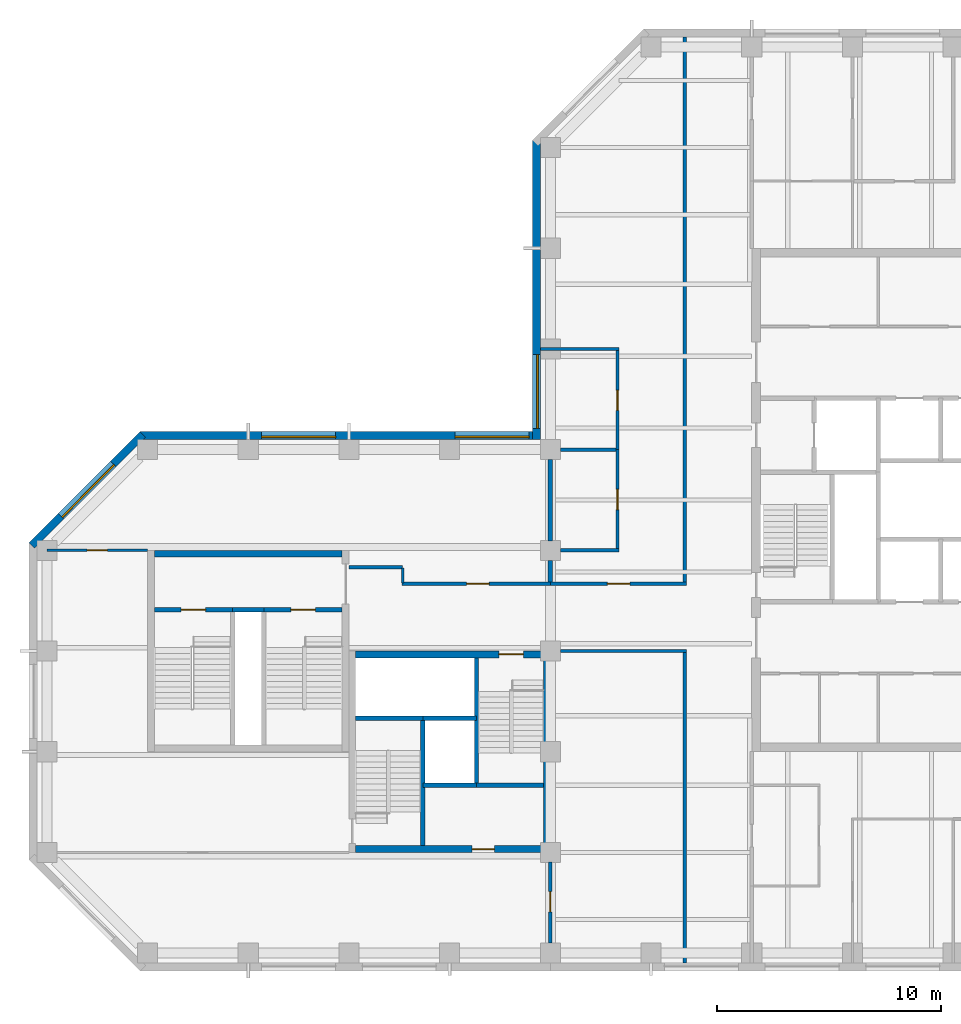
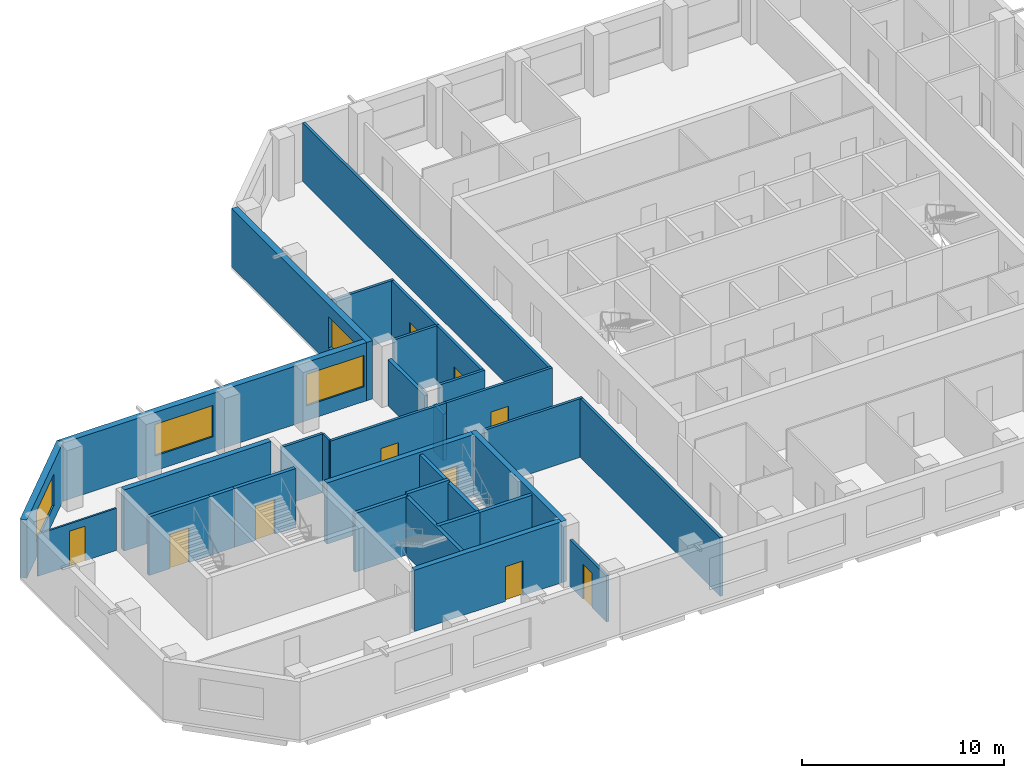
# One storey, part 3 of 9: 32 walls, 10 doors, 4 windows, 14 openings.
"""IFC4 building model written with IfcOpenShell, lengths in metres."""

from ifc_helpers import new_model, si_unit, direction, frame, frame_2d, origin, place, context, subcontext, project, spatial, rectangle, extrude, material, layer, layer_set, constituent, constituent_set, type_object, element, fill, save


model = new_model("IFC4")

# Units and contexts
model_context = context("Model", 3, precision=1e-05, world=origin(), true_north=direction((0.0, 1.0)))
body_context = subcontext(model_context, "Body", "Model", "MODEL_VIEW")
ifc_project = project(units=[si_unit("LENGTHUNIT", "METRE"), si_unit("AREAUNIT", "SQUARE_METRE"), si_unit("VOLUMEUNIT", "CUBIC_METRE"), si_unit("PLANEANGLEUNIT", "RADIAN"), si_unit("MASSUNIT", "GRAM", prefix="KILO")], contexts=[model_context])

# Site, building, storey
site_placement = place(None, origin())
site = spatial("IfcSite", under=ifc_project, at=site_placement, CompositionType="ELEMENT")
building_placement = place(site_placement, origin())
building = spatial("IfcBuilding", under=site, at=building_placement, Name="Quoin Convention Tower", CompositionType="ELEMENT")
storey_placement = place(building_placement, frame((0.0, 0.0, 199.5)))
storey = spatial("IfcBuildingStorey", under=building, at=storey_placement, Name="L52", CompositionType="ELEMENT", Elevation=199.5)

# Walls
ifc_material_1 = material(Name="Plasterboard")
ifc_layer_1 = layer(ifc_material_1, 0.012451171875, Name="Finish")
ifc_material_2 = material(Name="Steel stud framing", Category="steel")
ifc_layer_2 = layer(ifc_material_2, 0.125, Name="Structure")
ifc_layer_3 = layer(ifc_material_1, 0.012451171875, Name="Finish")
ifc_layer_set_1 = layer_set([ifc_layer_1, ifc_layer_2, ifc_layer_3], Name="Steel stud framing")
wall_type_1 = type_object("IfcWallType", Name="Acoustic partition 150", PredefinedType="PARTITIONING", material=ifc_layer_set_1)
wall_1_placement = place(storey_placement, frame((36.449951171875, 58.5, 0.0), z_axis=(0.0, 0.0, 1.0), x_axis=(1.0, 0.0, 0.0)))
element("IfcWall", 1, at=wall_1_placement, inside=storey, type_object=wall_type_1, Name="pw-L52-021", PredefinedType="PARTITIONING", context=body_context, shape_type="SweptSolid", body=[
    extrude(rectangle(XDim=2.625, YDim=0.14990234375, at=frame_2d((1.3125, 0.0))), origin(), (0.0, 0.0, 1.0), 3.550048828125),
])
wall_2_placement = place(storey_placement, frame((36.449951171875, 63.0, 0.0), z_axis=(0.0, 0.0, 1.0), x_axis=(1.0, 0.0, 0.0)))
element("IfcWall", 2, at=wall_2_placement, inside=storey, type_object=wall_type_1, Name="pw-L52-025", PredefinedType="PARTITIONING", context=body_context, shape_type="SweptSolid", body=[
    extrude(rectangle(XDim=2.47509765625, YDim=0.14990234375, at=frame_2d((1.237548828125, 0.0))), origin(), (0.0, 0.0, 1.0), 3.550048828125),
])
wall_3_placement = place(storey_placement, frame((35.550048828125, 67.5, 0.0), z_axis=(0.0, 0.0, 1.0), x_axis=(1.0, 0.0, 0.0)))
element("IfcWall", 3, at=wall_3_placement, inside=storey, type_object=wall_type_1, Name="pw-L52-027", PredefinedType="PARTITIONING", context=body_context, shape_type="SweptSolid", body=[
    extrude(rectangle(XDim=3.52490234375, YDim=0.14990234375, at=frame_2d((1.762451171875, 0.0))), origin(), (0.0, 0.0, 1.0), 3.550048828125),
])

# Wall, opening, door
wall_4_placement = place(storey_placement, frame((39.0, 58.574951171875, 0.0), z_axis=(0.0, 0.0, 1.0), x_axis=(0.0, 1.0, 0.0)))
wall_4 = element("IfcWall", 4, at=wall_4_placement, inside=storey, type_object=wall_type_1, Name="pw-L52-066", PredefinedType="PARTITIONING", context=body_context, shape_type="SweptSolid", body=[
    extrude(rectangle(XDim=4.425048828125, YDim=0.14990234375, at=frame_2d((2.21240234375, 0.0))), origin(), (0.0, 0.0, 1.0), 3.550048828125),
])
opening_1_placement = place(wall_4_placement, frame((1.75, 0.0, 0.0)))
opening_1 = element("IfcOpeningElement", 5, at=opening_1_placement, cuts=wall_4, Name="Opening DOH8-20", PredefinedType="OPENING", context=body_context, shape_type="SweptSolid", body=[
    extrude(rectangle(XDim=0.89990234375, YDim=2.10009765625, at=frame_2d((0.449951171875, 1.050048828125))), frame((0.0, 0.0849609375, 0.0), z_axis=(0.0, -1.0, 0.0), x_axis=(1.0, 0.0, 0.0)), (0.0, 0.0, 1.0), 0.169921875),
])
ifc_material_3 = material(Name="Steel door leaf", Category="steel")
door_type_1 = type_object("IfcDoorType", Name="Office door 900 x 2100", OperationType="SINGLE_SWING_RIGHT", PredefinedType="DOOR", material=ifc_material_3)
door_1_placement = place(opening_1_placement, frame((0.89990234375, 0.0, 0.0), z_axis=(0.0, 0.0, 1.0), x_axis=(-1.0, 0.0, 0.0)))
door_1 = element("IfcDoor", 6, at=door_1_placement, inside=storey, type_object=door_type_1, Name="dr-L52-12", OperationType="SINGLE_SWING_LEFT", OverallHeight=2.10009765625, OverallWidth=0.89990234375, PredefinedType="DOOR", context=body_context, shape_type="SweptSolid", body=[
    extrude(rectangle(XDim=0.89990234375, YDim=2.10009765625, at=frame_2d((0.449951171875, 1.050048828125))), frame((0.0, 0.02490234375, 0.0), z_axis=(0.0, -1.0, 0.0), x_axis=(1.0, 0.0, 0.0)), (0.0, 0.0, 1.0), 0.050048828125),
])
fill(opening_1, door_1)

wall_5_placement = place(storey_placement, frame((39.0, 63.0, 0.0), z_axis=(0.0, 0.0, 1.0), x_axis=(0.0, 1.0, 0.0)))
wall_5 = element("IfcWall", 7, at=wall_5_placement, inside=storey, type_object=wall_type_1, Name="pw-L52-072", PredefinedType="PARTITIONING", context=body_context, shape_type="SweptSolid", body=[
    extrude(rectangle(XDim=4.425048828125, YDim=0.14990234375, at=frame_2d((2.21240234375, 0.0))), origin(), (0.0, 0.0, 1.0), 3.550048828125),
])
opening_2_placement = place(wall_5_placement, frame((1.75, 0.0, 0.0)))
opening_2 = element("IfcOpeningElement", 8, at=opening_2_placement, cuts=wall_5, Name="Opening DOH8-21", PredefinedType="OPENING", context=body_context, shape_type="SweptSolid", body=[
    extrude(rectangle(XDim=0.89990234375, YDim=2.10009765625, at=frame_2d((0.449951171875, 1.050048828125))), frame((0.0, 0.0849609375, 0.0), z_axis=(0.0, -1.0, 0.0), x_axis=(1.0, 0.0, 0.0)), (0.0, 0.0, 1.0), 0.169921875),
])
door_2_placement = place(opening_2_placement, frame((0.89990234375, 0.0, 0.0), z_axis=(0.0, 0.0, 1.0), x_axis=(-1.0, 0.0, 0.0)))
door_2 = element("IfcDoor", 9, at=door_2_placement, inside=storey, type_object=door_type_1, Name="dr-L52-13", OperationType="SINGLE_SWING_LEFT", OverallHeight=2.10009765625, OverallWidth=0.89990234375, PredefinedType="DOOR", context=body_context, shape_type="SweptSolid", body=[
    extrude(rectangle(XDim=0.89990234375, YDim=2.10009765625, at=frame_2d((0.449951171875, 1.050048828125))), frame((0.0, 0.02490234375, 0.0), z_axis=(0.0, -1.0, 0.0), x_axis=(1.0, 0.0, 0.0)), (0.0, 0.0, 1.0), 0.050048828125),
])
fill(opening_2, door_2)

# Wall, opening, window
ifc_material_4 = material(Name="Brick masonry", Category="masonry")
ifc_layer_4 = layer(ifc_material_4, 0.35009765625)
ifc_layer_set_2 = layer_set([ifc_layer_4], Name="Brick masonry")
wall_type_2 = type_object("IfcWallType", Name="Brick facade wall", PredefinedType="STANDARD", material=ifc_layer_set_2)
wall_6_placement = place(storey_placement, frame((35.375, 76.831298828125, 0.0), z_axis=(0.0, 0.0, 1.0), x_axis=(0.0, -1.0, 0.0)))
wall_6 = element("IfcWall", 10, at=wall_6_placement, inside=storey, type_object=wall_type_2, Name="fw-L52-36000_76500", PredefinedType="STANDARD", context=body_context, shape_type="SweptSolid", body=[
    extrude(rectangle(XDim=13.38134765625, YDim=0.35009765625, at=frame_2d((6.690673828125, 0.0))), origin(), (0.0, 0.0, 1.0), 3.52490234375),
])
opening_3_placement = place(wall_6_placement, frame((9.581298828125, 0.0, 0.89990234375)))
opening_3 = element("IfcOpeningElement", 11, at=opening_3_placement, cuts=wall_6, Name="Opening W-02", PredefinedType="OPENING", context=body_context, shape_type="SweptSolid", body=[
    extrude(rectangle(XDim=3.300048828125, YDim=1.89990234375, at=frame_2d((1.64990234375, 0.949951171875))), frame((0.0, 0.18505859375, 0.0), z_axis=(0.0, -1.0, 0.0), x_axis=(1.0, 0.0, 0.0)), (0.0, 0.0, 1.0), 0.3701171875),
])
ifc_material_5 = material(Name="Aluminium", Category="aluminium")
ifc_constituent_1 = constituent(ifc_material_5, Name="Frame")
ifc_material_6 = material(Name="Insulated glass", Category="glass")
ifc_constituent_2 = constituent(ifc_material_6, Name="Glazing")
ifc_constituent_set = constituent_set(constituents=[ifc_constituent_1, ifc_constituent_2], Name="Aluminium")
window_type = type_object("IfcWindowType", Name="Office window", PartitioningType="DOUBLE_PANEL_VERTICAL", PredefinedType="WINDOW", material=ifc_constituent_set)
window_1_placement = place(opening_3_placement, origin())
window_1 = element("IfcWindow", 12, at=window_1_placement, inside=storey, type_object=window_type, Name="win-L52-35375_65250", OverallHeight=1.89990234375, OverallWidth=3.300048828125, PartitioningType="SINGLE_PANEL", PredefinedType="WINDOW", context=body_context, shape_type="SweptSolid", body=[
    extrude(rectangle(XDim=3.300048828125, YDim=1.89990234375, at=frame_2d((1.64990234375, 0.949951171875))), frame((0.0, 0.0849609375, 0.0), z_axis=(0.0, -1.0, 0.0), x_axis=(1.0, 0.0, 0.0)), (0.0, 0.0, 1.0), 0.06005859375),
])
fill(opening_3, window_1)

# Wall, openings, windows
wall_7_placement = place(storey_placement, frame((35.550048828125, 63.625, 0.0), z_axis=(0.0, 0.0, 1.0), x_axis=(-1.0, 0.0, 0.0)))
wall_7 = element("IfcWall", 13, at=wall_7_placement, inside=storey, type_object=wall_type_2, Name="fw-L52-36000_63000", PredefinedType="STANDARD", context=body_context, shape_type="SweptSolid", body=[
    extrude(rectangle(XDim=17.88134765625, YDim=0.35009765625, at=frame_2d((8.940673828125, 0.0))), origin(), (0.0, 0.0, 1.0), 3.52490234375),
])
opening_4_placement = place(wall_7_placement, frame((0.5, 0.0, 0.89990234375)))
opening_4 = element("IfcOpeningElement", 14, at=opening_4_placement, cuts=wall_7, Name="Opening W-02", PredefinedType="OPENING", context=body_context, shape_type="SweptSolid", body=[
    extrude(rectangle(XDim=3.300048828125, YDim=1.89990234375, at=frame_2d((1.64990234375, 0.949951171875))), frame((0.0, 0.18505859375, 0.0), z_axis=(0.0, -1.0, 0.0), x_axis=(1.0, 0.0, 0.0)), (0.0, 0.0, 1.0), 0.3701171875),
])
opening_5_placement = place(wall_7_placement, frame((9.14990234375, 0.0, 0.89990234375)))
opening_5 = element("IfcOpeningElement", 15, at=opening_5_placement, cuts=wall_7, Name="Opening W-02", PredefinedType="OPENING", context=body_context, shape_type="SweptSolid", body=[
    extrude(rectangle(XDim=3.300048828125, YDim=1.89990234375, at=frame_2d((1.64990234375, 0.949951171875))), frame((0.0, 0.18505859375, 0.0), z_axis=(0.0, -1.0, 0.0), x_axis=(1.0, 0.0, 0.0)), (0.0, 0.0, 1.0), 0.3701171875),
])
window_2_placement = place(opening_4_placement, origin())
window_2 = element("IfcWindow", 16, at=window_2_placement, inside=storey, type_object=window_type, Name="win-L52-33750_63625", OverallHeight=1.89990234375, OverallWidth=3.300048828125, PartitioningType="SINGLE_PANEL", PredefinedType="WINDOW", context=body_context, shape_type="SweptSolid", body=[
    extrude(rectangle(XDim=3.300048828125, YDim=1.89990234375, at=frame_2d((1.64990234375, 0.949951171875))), frame((0.0, 0.0849609375, 0.0), z_axis=(0.0, -1.0, 0.0), x_axis=(1.0, 0.0, 0.0)), (0.0, 0.0, 1.0), 0.06005859375),
])
fill(opening_4, window_2)
window_3_placement = place(opening_5_placement, origin())
window_3 = element("IfcWindow", 17, at=window_3_placement, inside=storey, type_object=window_type, Name="win-L52-24750_63625", OverallHeight=1.89990234375, OverallWidth=3.300048828125, PartitioningType="SINGLE_PANEL", PredefinedType="WINDOW", context=body_context, shape_type="SweptSolid", body=[
    extrude(rectangle(XDim=3.300048828125, YDim=1.89990234375, at=frame_2d((1.64990234375, 0.949951171875))), frame((0.0, 0.0849609375, 0.0), z_axis=(0.0, -1.0, 0.0), x_axis=(1.0, 0.0, 0.0)), (0.0, 0.0, 1.0), 0.06005859375),
])
fill(opening_5, window_3)

# Wall, opening, window
wall_8_placement = place(storey_placement, frame((17.79248046875, 63.67626953125, 0.0), z_axis=(0.0, 0.0, 1.0), x_axis=(-0.707106781187, -0.707106781187, 0.0)))
wall_8 = element("IfcWall", 18, at=wall_8_placement, inside=storey, type_object=wall_type_2, Name="fw-L52-18000_63000", PredefinedType="STANDARD", context=body_context, shape_type="SweptSolid", body=[
    extrude(rectangle(XDim=7.02685546875, YDim=0.35009765625, at=frame_2d((3.513427734375, 0.0))), origin(), (0.0, 0.0, 1.0), 3.52490234375),
])
opening_6_placement = place(wall_8_placement, frame((1.86328125, 0.0, 0.89990234375)))
opening_6 = element("IfcOpeningElement", 19, at=opening_6_placement, cuts=wall_8, Name="Opening W-02", PredefinedType="OPENING", context=body_context, shape_type="SweptSolid", body=[
    extrude(rectangle(XDim=3.300048828125, YDim=1.89990234375, at=frame_2d((1.64990234375, 0.949951171875))), frame((0.0, 0.18505859375, 0.0), z_axis=(0.0, -1.0, 0.0), x_axis=(1.0, 0.0, 0.0)), (0.0, 0.0, 1.0), 0.3701171875),
])
window_4_placement = place(opening_6_placement, origin())
window_4 = element("IfcWindow", 20, at=window_4_placement, inside=storey, type_object=window_type, Name="win-L52-15308_61192", OverallHeight=1.89990234375, OverallWidth=3.300048828125, PartitioningType="SINGLE_PANEL", PredefinedType="WINDOW", context=body_context, shape_type="SweptSolid", body=[
    extrude(rectangle(XDim=3.300048828125, YDim=1.89990234375, at=frame_2d((1.64990234375, 0.949951171875))), frame((0.0, 0.0849609375, 0.0), z_axis=(0.0, -1.0, 0.0), x_axis=(1.0, 0.0, 0.0)), (0.0, 0.0, 1.0), 0.06005859375),
])
fill(opening_6, window_4)

# Walls
ifc_material_7 = material(Name="Concrete C50", Category="concrete")
ifc_layer_5 = layer(ifc_material_7, 0.199951171875)
ifc_layer_set_3 = layer_set([ifc_layer_5], Name="Concrete C50")
wall_type_3 = type_object("IfcWallType", Name="Core shaft wall", PredefinedType="SOLIDWALL", material=ifc_layer_set_3)
wall_9_placement = place(storey_placement, frame((30.300048828125, 48.0, 0.0), z_axis=(0.0, 0.0, 1.0), x_axis=(1.0, 0.0, 0.0)))
element("IfcWall", 21, at=wall_9_placement, inside=storey, type_object=wall_type_3, Name="cr-P2-L52-h3000_3300", PredefinedType="SOLIDWALL", context=body_context, shape_type="SweptSolid", body=[
    extrude(rectangle(XDim=2.39990234375, YDim=0.199951171875, at=frame_2d((1.199951171875, 0.0))), origin(), (0.0, 0.0, 1.0), 3.550048828125),
])
for number, where, z_axis, x_axis, name in (
    (22, (32.699951171875, 48.0, 0.0), (0.0, 0.0, 1.0), (1.0, 0.0, 0.0), "cr-P2-L52-h3000_5700"),
    (23, (27.300048828125, 51.0, 0.0), (0.0, 0.0, 1.0), (1.0, 0.0, 0.0), "cr-P2-L52-h6000_300"),
):
    element("IfcWall", number, at=place(storey_placement, frame(where, z_axis=z_axis, x_axis=x_axis)), inside=storey, type_object=wall_type_3, Name=name, PredefinedType="SOLIDWALL", context=body_context, shape_type="SweptSolid", body=[
        extrude(rectangle(XDim=3.0, YDim=0.199951171875, at=frame_2d((1.5, 0.0))), origin(), (0.0, 0.0, 1.0), 3.550048828125),
    ])
for number, where, z_axis, x_axis, name in (
    (24, (30.300048828125, 45.300048828125, 0.0), (0.0, 0.0, 1.0), (0.0, 1.0, 0.0), "cr-P2-L52-v3300_300"),
    (25, (32.699951171875, 48.0, 0.0), (0.0, 0.0, 1.0), (0.0, 1.0, 0.0), "cr-P2-L52-v5700_3000"),
):
    element("IfcWall", number, at=place(storey_placement, frame(where, z_axis=z_axis, x_axis=x_axis)), inside=storey, type_object=wall_type_3, Name=name, PredefinedType="SOLIDWALL", context=body_context, shape_type="SweptSolid", body=[
        extrude(rectangle(XDim=5.699951171875, YDim=0.199951171875, at=frame_2d((2.85009765625, 0.0))), origin(), (0.0, 0.0, 1.0), 3.550048828125),
    ])
wall_10_placement = place(storey_placement, frame((21.800048828125, 55.85009765625, 0.0), z_axis=(0.0, 0.0, 1.0), x_axis=(1.0, 0.0, 0.0)))
element("IfcWall", 26, at=wall_10_placement, inside=storey, type_object=wall_type_3, Name="cr-P6-L52-h6350_3800", PredefinedType="SOLIDWALL", context=body_context, shape_type="SweptSolid", body=[
    extrude(rectangle(XDim=1.39990234375, YDim=0.199951171875, at=frame_2d((0.699951171875, 0.0))), origin(), (0.0, 0.0, 1.0), 3.550048828125),
])

# Wall, opening, door
wall_11_placement = place(storey_placement, frame((18.300048828125, 55.85009765625, 0.0), z_axis=(0.0, 0.0, 1.0), x_axis=(1.0, 0.0, 0.0)))
wall_11 = element("IfcWall", 27, at=wall_11_placement, inside=storey, type_object=wall_type_3, Name="cr-P6-L52-h6350_300", PredefinedType="SOLIDWALL", context=body_context, shape_type="SweptSolid", body=[
    extrude(rectangle(XDim=3.5, YDim=0.199951171875, at=frame_2d((1.75, 0.0))), origin(), (0.0, 0.0, 1.0), 3.550048828125),
])
opening_7_placement = place(wall_11_placement, frame((1.199951171875, 0.0, 0.0)))
opening_7 = element("IfcOpeningElement", 28, at=opening_7_placement, cuts=wall_11, Name="Opening SD11", PredefinedType="OPENING", context=body_context, shape_type="SweptSolid", body=[
    extrude(rectangle(XDim=1.10009765625, YDim=2.10009765625, at=frame_2d((0.550048828125, 1.050048828125))), frame((0.0, 0.10986328125, 0.0), z_axis=(0.0, -1.0, 0.0), x_axis=(1.0, 0.0, 0.0)), (0.0, 0.0, 1.0), 0.219970703125),
])
door_type_2 = type_object("IfcDoorType", Name="Stair door 1100 x 2100", OperationType="SINGLE_SWING_RIGHT", PredefinedType="DOOR", material=ifc_material_3)
door_3_placement = place(opening_7_placement, origin())
door_3 = element("IfcDoor", 29, at=door_3_placement, inside=storey, type_object=door_type_2, Name="cd-P6-L52-SA-R2-SD11", OperationType="SINGLE_SWING_RIGHT", OverallHeight=2.10009765625, OverallWidth=1.10009765625, PredefinedType="DOOR", context=body_context, shape_type="SweptSolid", body=[
    extrude(rectangle(XDim=1.10009765625, YDim=2.10009765625, at=frame_2d((0.550048828125, 1.050048828125))), frame((0.0, 0.02490234375, 0.0), z_axis=(0.0, -1.0, 0.0), x_axis=(1.0, 0.0, 0.0)), (0.0, 0.0, 1.0), 0.050048828125),
])
fill(opening_7, door_3)

wall_12_placement = place(storey_placement, frame((23.199951171875, 55.85009765625, 0.0), z_axis=(0.0, 0.0, 1.0), x_axis=(1.0, 0.0, 0.0)))
wall_12 = element("IfcWall", 30, at=wall_12_placement, inside=storey, type_object=wall_type_3, Name="cr-P6-L52-h6350_5200", PredefinedType="SOLIDWALL", context=body_context, shape_type="SweptSolid", body=[
    extrude(rectangle(XDim=3.5, YDim=0.199951171875, at=frame_2d((1.75, 0.0))), origin(), (0.0, 0.0, 1.0), 3.550048828125),
])
opening_8_placement = place(wall_12_placement, frame((1.199951171875, 0.0, 0.0)))
opening_8 = element("IfcOpeningElement", 31, at=opening_8_placement, cuts=wall_12, Name="Opening SD12", PredefinedType="OPENING", context=body_context, shape_type="SweptSolid", body=[
    extrude(rectangle(XDim=1.10009765625, YDim=2.10009765625, at=frame_2d((0.550048828125, 1.050048828125))), frame((0.0, 0.10986328125, 0.0), z_axis=(0.0, -1.0, 0.0), x_axis=(1.0, 0.0, 0.0)), (0.0, 0.0, 1.0), 0.219970703125),
])
door_4_placement = place(opening_8_placement, origin())
door_4 = element("IfcDoor", 32, at=door_4_placement, inside=storey, type_object=door_type_2, Name="cd-P6-L52-SB-R2-SD12", OperationType="SINGLE_SWING_RIGHT", OverallHeight=2.10009765625, OverallWidth=1.10009765625, PredefinedType="DOOR", context=body_context, shape_type="SweptSolid", body=[
    extrude(rectangle(XDim=1.10009765625, YDim=2.10009765625, at=frame_2d((0.550048828125, 1.050048828125))), frame((0.0, 0.02490234375, 0.0), z_axis=(0.0, -1.0, 0.0), x_axis=(1.0, 0.0, 0.0)), (0.0, 0.0, 1.0), 0.050048828125),
])
fill(opening_8, door_4)

# Walls
ifc_layer_6 = layer(ifc_material_7, 0.199951171875)
ifc_layer_set_4 = layer_set([ifc_layer_6], Name="Concrete C50")
wall_type_4 = type_object("IfcWallType", Name="Core shaft wall to the floor level over", PredefinedType="SOLIDWALL", material=ifc_layer_set_4)
wall_13_placement = place(storey_placement, frame((30.300048828125, 51.0, 0.0), z_axis=(0.0, 0.0, 1.0), x_axis=(1.0, 0.0, 0.0)))
element("IfcWall", 33, at=wall_13_placement, inside=storey, type_object=wall_type_4, Name="cr-P2-L52-h6000_3300", PredefinedType="SOLIDWALL", context=body_context, shape_type="SweptSolid", body=[
    extrude(rectangle(XDim=2.39990234375, YDim=0.199951171875, at=frame_2d((1.199951171875, 0.0))), origin(), (0.0, 0.0, 1.0), 3.699951171875),
])
ifc_layer_7 = layer(ifc_material_1, 0.012451171875, Name="Finish")
ifc_layer_8 = layer(ifc_material_2, 0.125, Name="Structure")
ifc_layer_9 = layer(ifc_material_1, 0.012451171875, Name="Finish")
ifc_layer_set_5 = layer_set([ifc_layer_7, ifc_layer_8, ifc_layer_9], Name="Steel stud framing")
wall_type_5 = type_object("IfcWallType", Name="Corridor wall 150", PredefinedType="PARTITIONING", material=ifc_layer_set_5)
wall_14_placement = place(storey_placement, frame((36.449951171875, 54.0, 0.0), z_axis=(0.0, 0.0, 1.0), x_axis=(1.0, 0.0, 0.0)))
element("IfcWall", 34, at=wall_14_placement, inside=storey, type_object=wall_type_5, Name="pw-L52-017", PredefinedType="PARTITIONING", context=body_context, shape_type="SweptSolid", body=[
    extrude(rectangle(XDim=5.625, YDim=0.14990234375, at=frame_2d((2.8125, 0.0))), origin(), (0.0, 0.0, 1.0), 3.550048828125),
])

# Wall, opening, door
wall_15_placement = place(storey_placement, frame((29.3798828125, 57.0, 0.0), z_axis=(0.0, 0.0, 1.0), x_axis=(1.0, 0.0, 0.0)))
wall_15 = element("IfcWall", 35, at=wall_15_placement, inside=storey, type_object=wall_type_5, Name="pw-L52-019", PredefinedType="PARTITIONING", context=body_context, shape_type="SweptSolid", body=[
    extrude(rectangle(XDim=6.6201171875, YDim=0.14990234375, at=frame_2d((3.31005859375, 0.0))), origin(), (0.0, 0.0, 1.0), 3.550048828125),
])
opening_9_placement = place(wall_15_placement, frame((2.8798828125, 0.0, 0.0)))
opening_9 = element("IfcOpeningElement", 36, at=opening_9_placement, cuts=wall_15, Name="Opening DOH8-05", PredefinedType="OPENING", context=body_context, shape_type="SweptSolid", body=[
    extrude(rectangle(XDim=1.0, YDim=2.10009765625, at=frame_2d((0.5, 1.050048828125))), frame((0.0, 0.0849609375, 0.0), z_axis=(0.0, -1.0, 0.0), x_axis=(1.0, 0.0, 0.0)), (0.0, 0.0, 1.0), 0.169921875),
])
door_type_3 = type_object("IfcDoorType", Name="Tenancy entrance door 1000 x 2100", OperationType="DOUBLE_DOOR_SINGLE_SWING", PredefinedType="DOOR", material=ifc_material_3)
door_5_placement = place(opening_9_placement, origin())
door_5 = element("IfcDoor", 37, at=door_5_placement, inside=storey, type_object=door_type_3, Name="dr-L52-w01", OperationType="DOUBLE_DOOR_SINGLE_SWING", OverallHeight=2.10009765625, OverallWidth=1.0, PredefinedType="DOOR", context=body_context, shape_type="SweptSolid", body=[
    extrude(rectangle(XDim=1.0, YDim=2.10009765625, at=frame_2d((0.5, 1.050048828125))), frame((0.0, 0.02490234375, 0.0), z_axis=(0.0, -1.0, 0.0), x_axis=(1.0, 0.0, 0.0)), (0.0, 0.0, 1.0), 0.050048828125),
])
fill(opening_9, door_5)

wall_16_placement = place(storey_placement, frame((36.0, 57.0, 0.0), z_axis=(0.0, 0.0, 1.0), x_axis=(1.0, 0.0, 0.0)))
wall_16 = element("IfcWall", 38, at=wall_16_placement, inside=storey, type_object=wall_type_5, Name="pw-L52-020", PredefinedType="PARTITIONING", context=body_context, shape_type="SweptSolid", body=[
    extrude(rectangle(XDim=6.074951171875, YDim=0.14990234375, at=frame_2d((3.03759765625, 0.0))), origin(), (0.0, 0.0, 1.0), 3.550048828125),
])
opening_10_placement = place(wall_16_placement, frame((2.550048828125, 0.0, 0.0)))
opening_10 = element("IfcOpeningElement", 39, at=opening_10_placement, cuts=wall_16, Name="Opening DOH8-06", PredefinedType="OPENING", context=body_context, shape_type="SweptSolid", body=[
    extrude(rectangle(XDim=1.0, YDim=2.10009765625, at=frame_2d((0.5, 1.050048828125))), frame((0.0, 0.0849609375, 0.0), z_axis=(0.0, -1.0, 0.0), x_axis=(1.0, 0.0, 0.0)), (0.0, 0.0, 1.0), 0.169921875),
])
door_6_placement = place(opening_10_placement, origin())
door_6 = element("IfcDoor", 40, at=door_6_placement, inside=storey, type_object=door_type_3, Name="dr-L52-11", OperationType="DOUBLE_DOOR_SINGLE_SWING", OverallHeight=2.10009765625, OverallWidth=1.0, PredefinedType="DOOR", context=body_context, shape_type="SweptSolid", body=[
    extrude(rectangle(XDim=1.0, YDim=2.10009765625, at=frame_2d((0.5, 1.050048828125))), frame((0.0, 0.02490234375, 0.0), z_axis=(0.0, -1.0, 0.0), x_axis=(1.0, 0.0, 0.0)), (0.0, 0.0, 1.0), 0.050048828125),
])
fill(opening_10, door_6)

# Walls
wall_17_placement = place(storey_placement, frame((42.0, 40.050048828125, 0.0), z_axis=(0.0, 0.0, 1.0), x_axis=(0.0, 1.0, 0.0)))
element("IfcWall", 41, at=wall_17_placement, inside=storey, type_object=wall_type_5, Name="pw-L52-038", PredefinedType="PARTITIONING", context=body_context, shape_type="SweptSolid", body=[
    extrude(rectangle(XDim=13.875, YDim=0.14990234375, at=frame_2d((6.9375, 0.0))), origin(), (0.0, 0.0, 1.0), 3.550048828125),
])
wall_18_placement = place(storey_placement, frame((42.0, 57.074951171875, 0.0), z_axis=(0.0, 0.0, 1.0), x_axis=(0.0, 1.0, 0.0)))
element("IfcWall", 42, at=wall_18_placement, inside=storey, type_object=wall_type_5, Name="pw-L52-064", PredefinedType="PARTITIONING", context=body_context, shape_type="SweptSolid", body=[
    extrude(rectangle(XDim=24.375, YDim=0.14990234375, at=frame_2d((12.1875, 0.0))), origin(), (0.0, 0.0, 1.0), 3.550048828125),
])
wall_19_placement = place(storey_placement, frame((27.0, 57.75, 0.0), z_axis=(0.0, 0.0, 1.0), x_axis=(1.0, 0.0, 0.0)))
element("IfcWall", 43, at=wall_19_placement, inside=storey, type_object=wall_type_5, Name="pw-L52-w03", PredefinedType="PARTITIONING", context=body_context, shape_type="SweptSolid", body=[
    extrude(rectangle(XDim=2.39990234375, YDim=0.14990234375, at=frame_2d((1.199951171875, 0.0))), origin(), (0.0, 0.0, 1.0), 3.550048828125),
])

# Wall, opening, door
ifc_layer_10 = layer(ifc_material_1, 0.012451171875, Name="Finish")
ifc_layer_11 = layer(ifc_material_2, 0.125, Name="Structure")
ifc_layer_12 = layer(ifc_material_1, 0.012451171875, Name="Finish")
ifc_layer_set_6 = layer_set([ifc_layer_10, ifc_layer_11, ifc_layer_12], Name="Steel stud framing")
wall_type_6 = type_object("IfcWallType", Name="Corridor wall 150 under beam 750", PredefinedType="PARTITIONING", material=ifc_layer_set_6)
wall_20_placement = place(storey_placement, frame((36.0, 40.949951171875, 0.0), z_axis=(0.0, 0.0, 1.0), x_axis=(0.0, 1.0, 0.0)))
wall_20 = element("IfcWall", 44, at=wall_20_placement, inside=storey, type_object=wall_type_6, Name="pw-L52-046", PredefinedType="PARTITIONING", context=body_context, shape_type="SweptSolid", body=[
    extrude(rectangle(XDim=3.630126953125, YDim=0.14990234375, at=frame_2d((1.81494140625, 0.0))), origin(), (0.0, 0.0, 1.0), 2.800048828125),
])
opening_11_placement = place(wall_20_placement, frame((1.39990234375, 0.0, 0.0)))
opening_11 = element("IfcOpeningElement", 45, at=opening_11_placement, cuts=wall_20, Name="Opening DOH8-12", PredefinedType="OPENING", context=body_context, shape_type="SweptSolid", body=[
    extrude(rectangle(XDim=0.89990234375, YDim=2.10009765625, at=frame_2d((0.449951171875, 1.050048828125))), frame((0.0, 0.0849609375, 0.0), z_axis=(0.0, -1.0, 0.0), x_axis=(1.0, 0.0, 0.0)), (0.0, 0.0, 1.0), 0.169921875),
])
door_7_placement = place(opening_11_placement, origin())
door_7 = element("IfcDoor", 46, at=door_7_placement, inside=storey, type_object=door_type_1, Name="dr-L52-01", OperationType="SINGLE_SWING_RIGHT", OverallHeight=2.10009765625, OverallWidth=0.89990234375, PredefinedType="DOOR", context=body_context, shape_type="SweptSolid", body=[
    extrude(rectangle(XDim=0.89990234375, YDim=2.10009765625, at=frame_2d((0.449951171875, 1.050048828125))), frame((0.0, 0.02490234375, 0.0), z_axis=(0.0, -1.0, 0.0), x_axis=(1.0, 0.0, 0.0)), (0.0, 0.0, 1.0), 0.050048828125),
])
fill(opening_11, door_7)

ifc_layer_13 = layer(ifc_material_7, 0.300048828125)
ifc_layer_set_7 = layer_set([ifc_layer_13], Name="Concrete C50")
wall_type_7 = type_object("IfcWallType", Name="RC CORE WALL 300 C50", PredefinedType="SHEAR", material=ifc_layer_set_7)
wall_21_placement = place(storey_placement, frame((27.300048828125, 45.14990234375, 0.0), z_axis=(0.0, 0.0, 1.0), x_axis=(1.0, 0.0, 0.0)))
wall_21 = element("IfcWall", 47, at=wall_21_placement, inside=storey, type_object=wall_type_7, Name="cwl-P2-L52-S", PredefinedType="SHEAR", context=body_context, shape_type="SweptSolid", body=[
    extrude(rectangle(XDim=8.39990234375, YDim=0.300048828125, at=frame_2d((4.199951171875, 0.0))), origin(), (0.0, 0.0, 1.0), 3.699951171875),
])
opening_12_placement = place(wall_21_placement, frame((5.199951171875, 0.0, 0.0)))
opening_12 = element("IfcOpeningElement", 48, at=opening_12_placement, cuts=wall_21, Name="Opening DCV0-60", PredefinedType="OPENING", context=body_context, shape_type="SweptSolid", body=[
    extrude(rectangle(XDim=1.0, YDim=2.10009765625, at=frame_2d((0.5, 1.050048828125))), frame((0.0, 0.159912109375, 0.0), z_axis=(0.0, -1.0, 0.0), x_axis=(1.0, 0.0, 0.0)), (0.0, 0.0, 1.0), 0.320068359375),
])
door_type_4 = type_object("IfcDoorType", Name="Service door 1000 x 2100", OperationType="SINGLE_SWING_LEFT", PredefinedType="DOOR", material=ifc_material_3)
door_8_placement = place(opening_12_placement, frame((1.0, 0.0, 0.0), z_axis=(0.0, 0.0, 1.0), x_axis=(-1.0, 0.0, 0.0)))
door_8 = element("IfcDoor", 49, at=door_8_placement, inside=storey, type_object=door_type_4, Name="cd-P2-L52-R2-S", OperationType="SINGLE_SWING_LEFT", OverallHeight=2.10009765625, OverallWidth=1.0, PredefinedType="DOOR", context=body_context, shape_type="SweptSolid", body=[
    extrude(rectangle(XDim=1.0, YDim=2.10009765625, at=frame_2d((0.5, 1.050048828125))), frame((0.0, 0.02490234375, 0.0), z_axis=(0.0, -1.0, 0.0), x_axis=(1.0, 0.0, 0.0)), (0.0, 0.0, 1.0), 0.050048828125),
])
fill(opening_12, door_8)

wall_22_placement = place(storey_placement, frame((27.300048828125, 53.85009765625, 0.0), z_axis=(0.0, 0.0, 1.0), x_axis=(1.0, 0.0, 0.0)))
wall_22 = element("IfcWall", 50, at=wall_22_placement, inside=storey, type_object=wall_type_7, Name="cwl-P2-L52-N", PredefinedType="SHEAR", context=body_context, shape_type="SweptSolid", body=[
    extrude(rectangle(XDim=8.39990234375, YDim=0.300048828125, at=frame_2d((4.199951171875, 0.0))), origin(), (0.0, 0.0, 1.0), 3.699951171875),
])
opening_13_placement = place(wall_22_placement, frame((6.39990234375, 0.0, 0.0)))
opening_13 = element("IfcOpeningElement", 51, at=opening_13_placement, cuts=wall_22, Name="Opening SD4", PredefinedType="OPENING", context=body_context, shape_type="SweptSolid", body=[
    extrude(rectangle(XDim=1.10009765625, YDim=2.10009765625, at=frame_2d((0.550048828125, 1.050048828125))), frame((0.0, 0.159912109375, 0.0), z_axis=(0.0, -1.0, 0.0), x_axis=(1.0, 0.0, 0.0)), (0.0, 0.0, 1.0), 0.320068359375),
])
door_9_placement = place(opening_13_placement, frame((1.10009765625, 0.0, 0.0), z_axis=(0.0, 0.0, 1.0), x_axis=(-1.0, 0.0, 0.0)))
door_9 = element("IfcDoor", 52, at=door_9_placement, inside=storey, type_object=door_type_2, Name="cd-P2-L52-SB-N", OperationType="SINGLE_SWING_LEFT", OverallHeight=2.10009765625, OverallWidth=1.10009765625, PredefinedType="DOOR", context=body_context, shape_type="SweptSolid", body=[
    extrude(rectangle(XDim=1.10009765625, YDim=2.10009765625, at=frame_2d((0.550048828125, 1.050048828125))), frame((0.0, 0.02490234375, 0.0), z_axis=(0.0, -1.0, 0.0), x_axis=(1.0, 0.0, 0.0)), (0.0, 0.0, 1.0), 0.050048828125),
])
fill(opening_13, door_9)

# Walls
wall_23_placement = place(storey_placement, frame((35.85009765625, 45.0, 0.0), z_axis=(0.0, 0.0, 1.0), x_axis=(0.0, 1.0, 0.0)))
element("IfcWall", 53, at=wall_23_placement, inside=storey, type_object=wall_type_7, Name="cwl-P2-L52-E", PredefinedType="SHEAR", context=body_context, shape_type="SweptSolid", body=[
    extrude(rectangle(XDim=9.0, YDim=0.300048828125, at=frame_2d((4.5, 0.0))), origin(), (0.0, 0.0, 1.0), 3.699951171875),
])
wall_24_placement = place(storey_placement, frame((18.300048828125, 58.35009765625, 0.0), z_axis=(0.0, 0.0, 1.0), x_axis=(1.0, 0.0, 0.0)))
element("IfcWall", 54, at=wall_24_placement, inside=storey, type_object=wall_type_7, Name="cwl-P6-L52-N", PredefinedType="SHEAR", context=body_context, shape_type="SweptSolid", body=[
    extrude(rectangle(XDim=8.39990234375, YDim=0.300048828125, at=frame_2d((4.199951171875, 0.0))), origin(), (0.0, 0.0, 1.0), 3.699951171875),
])
ifc_layer_14 = layer(ifc_material_1, 0.012451171875, Name="Finish")
ifc_layer_15 = layer(ifc_material_2, 0.074951171875, Name="Structure")
ifc_layer_16 = layer(ifc_material_1, 0.012451171875, Name="Finish")
ifc_layer_set_8 = layer_set([ifc_layer_14, ifc_layer_15, ifc_layer_16], Name="Steel stud framing")
wall_type_8 = type_object("IfcWallType", Name="Stud partition 100", PredefinedType="PARTITIONING", material=ifc_layer_set_8)
wall_25_placement = place(storey_placement, frame((29.39990234375, 57.715087890625, 0.0), z_axis=(0.0, 0.0, 1.0), x_axis=(0.0, -1.0, 0.0)))
element("IfcWall", 55, at=wall_25_placement, inside=storey, type_object=wall_type_8, Name="pw-L52-w04", PredefinedType="PARTITIONING", context=body_context, shape_type="SweptSolid", body=[
    extrude(rectangle(XDim=0.68017578125, YDim=0.10009765625, at=frame_2d((0.340087890625, 0.0))), origin(), (0.0, 0.0, 1.0), 3.550048828125),
])

# Wall, opening, door
ifc_layer_17 = layer(ifc_material_1, 0.012451171875, Name="Finish")
ifc_layer_18 = layer(ifc_material_2, 0.074951171875, Name="Structure")
ifc_layer_19 = layer(ifc_material_1, 0.012451171875, Name="Finish")
ifc_layer_set_9 = layer_set([ifc_layer_17, ifc_layer_18, ifc_layer_19], Name="Steel stud framing")
wall_type_9 = type_object("IfcWallType", Name="Stud partition 100 under beam 1000", PredefinedType="PARTITIONING", material=ifc_layer_set_9)
wall_26_placement = place(storey_placement, frame((13.5, 58.5, 0.0), z_axis=(0.0, 0.0, 1.0), x_axis=(1.0, 0.0, 0.0)))
wall_26 = element("IfcWall", 56, at=wall_26_placement, inside=storey, type_object=wall_type_9, Name="pw-L52-w01", PredefinedType="PARTITIONING", context=body_context, shape_type="SweptSolid", body=[
    extrude(rectangle(XDim=4.5, YDim=0.10009765625, at=frame_2d((2.25, 0.0))), origin(), (0.0, 0.0, 1.0), 2.550048828125),
])
opening_14_placement = place(wall_26_placement, frame((1.800048828125, 0.0, 0.0)))
opening_14 = element("IfcOpeningElement", 57, at=opening_14_placement, cuts=wall_26, Name="Opening DOH8-28", PredefinedType="OPENING", context=body_context, shape_type="SweptSolid", body=[
    extrude(rectangle(XDim=0.89990234375, YDim=2.10009765625, at=frame_2d((0.449951171875, 1.050048828125))), frame((0.0, 0.06005859375, 0.0), z_axis=(0.0, -1.0, 0.0), x_axis=(1.0, 0.0, 0.0)), (0.0, 0.0, 1.0), 0.1201171875),
])
door_10_placement = place(opening_14_placement, origin())
door_10 = element("IfcDoor", 58, at=door_10_placement, inside=storey, type_object=door_type_1, Name="dr-L52-w02", OperationType="SINGLE_SWING_RIGHT", OverallHeight=2.10009765625, OverallWidth=0.89990234375, PredefinedType="DOOR", context=body_context, shape_type="SweptSolid", body=[
    extrude(rectangle(XDim=0.89990234375, YDim=2.10009765625, at=frame_2d((0.449951171875, 1.050048828125))), frame((0.0, 0.02490234375, 0.0), z_axis=(0.0, -1.0, 0.0), x_axis=(1.0, 0.0, 0.0)), (0.0, 0.0, 1.0), 0.050048828125),
])
fill(opening_14, door_10)

# Walls
ifc_layer_20 = layer(ifc_material_1, 0.012451171875, Name="Finish")
ifc_layer_21 = layer(ifc_material_2, 0.175048828125, Name="Structure")
ifc_layer_22 = layer(ifc_material_1, 0.012451171875, Name="Finish")
ifc_layer_set_10 = layer_set([ifc_layer_20, ifc_layer_21, ifc_layer_22], Name="Steel stud framing")
wall_type_10 = type_object("IfcWallType", Name="Tenancy demising wall 200 under beam 750", PredefinedType="PARTITIONING", material=ifc_layer_set_10)
wall_27_placement = place(storey_placement, frame((36.0, 57.074951171875, 0.0), z_axis=(0.0, 0.0, 1.0), x_axis=(0.0, 1.0, 0.0)))
element("IfcWall", 59, at=wall_27_placement, inside=storey, type_object=wall_type_10, Name="pw-L52-063", PredefinedType="PARTITIONING", context=body_context, shape_type="SweptSolid", body=[
    extrude(rectangle(XDim=0.97509765625, YDim=0.199951171875, at=frame_2d((0.487548828125, 0.0))), origin(), (0.0, 0.0, 1.0), 2.800048828125),
])
wall_28_placement = place(storey_placement, frame((36.0, 58.919921875, 0.0), z_axis=(0.0, 0.0, 1.0), x_axis=(0.0, 1.0, 0.0)))
element("IfcWall", 60, at=wall_28_placement, inside=storey, type_object=wall_type_10, Name="pw-L52-067", PredefinedType="PARTITIONING", context=body_context, shape_type="SweptSolid", body=[
    extrude(rectangle(XDim=3.630126953125, YDim=0.199951171875, at=frame_2d((1.81494140625, 0.0))), origin(), (0.0, 0.0, 1.0), 2.800048828125),
])

save(model, "model.ifc")
